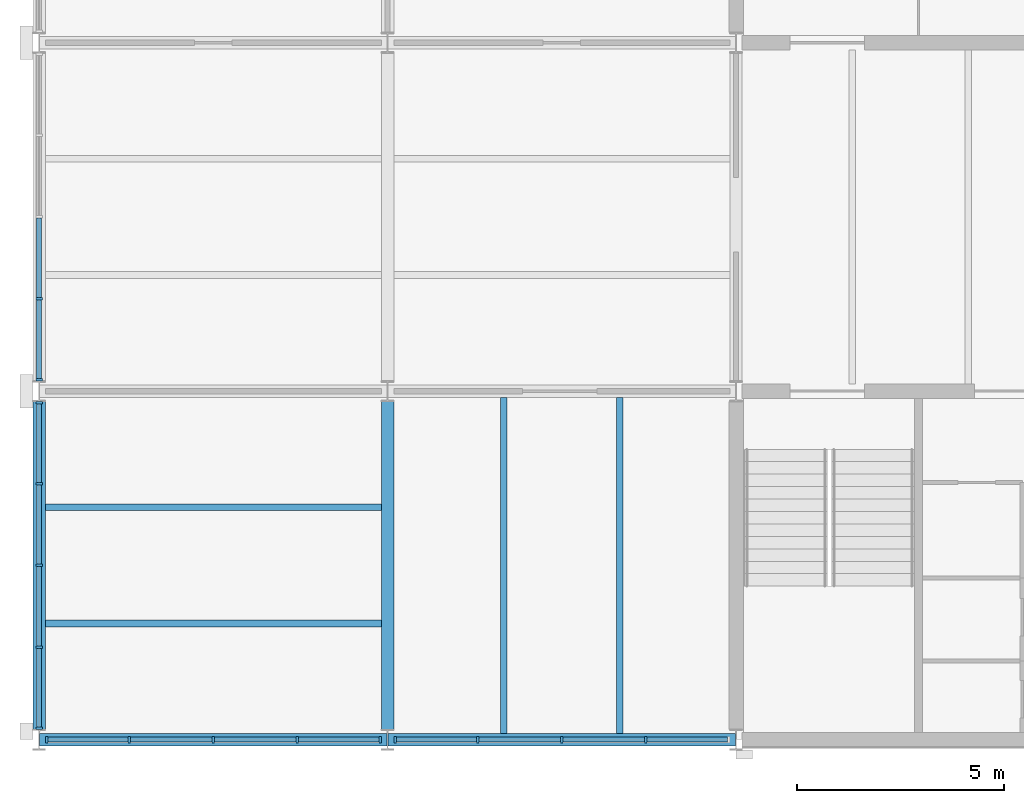
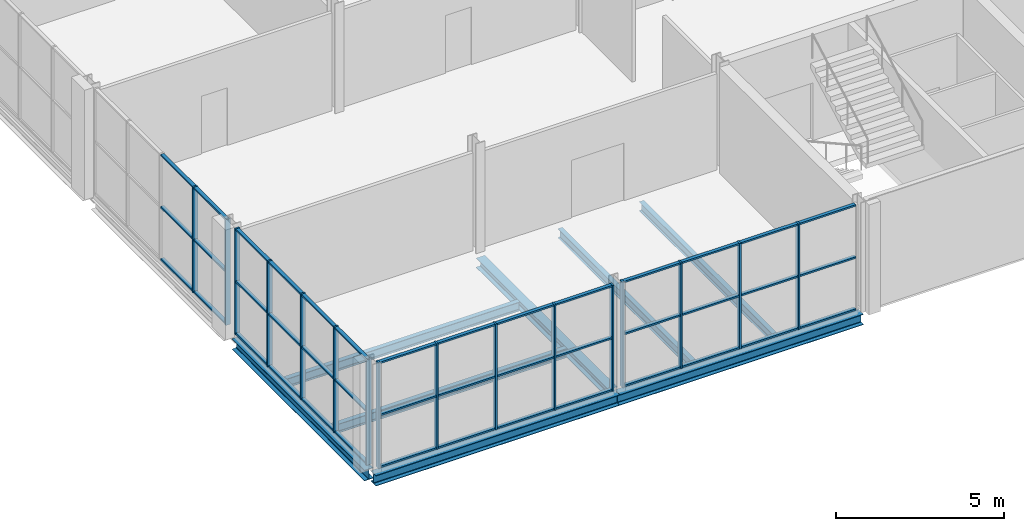
# One storey, part 2 of 12: 58 members, 8 beams, 4 elements without a shape of their own.
"""IFC4 building model written with IfcOpenShell, lengths in metres."""

from ifc_helpers import new_model, si_unit, direction, frame, origin, origin_2d, place, context, subcontext, project, spatial, rectangle, i_section, extrude, material, layer, layer_set, material_profile, profile_set, type_object, element, aggregate, save


model = new_model("IFC4")

# Units and contexts
model_context = context("Model", 3, precision=1e-05, world=origin(), true_north=direction((0.0, 1.0)))
body_context = subcontext(model_context, "Body", "Model", "MODEL_VIEW")
ifc_project = project(units=[si_unit("LENGTHUNIT", "METRE"), si_unit("AREAUNIT", "SQUARE_METRE"), si_unit("VOLUMEUNIT", "CUBIC_METRE"), si_unit("PLANEANGLEUNIT", "RADIAN"), si_unit("MASSUNIT", "GRAM", prefix="KILO")], contexts=[model_context])

# Site, building, storey
site_placement = place(None, origin())
site = spatial("IfcSite", under=ifc_project, at=site_placement, CompositionType="ELEMENT")
building_placement = place(site_placement, origin())
building = spatial("IfcBuilding", under=site, at=building_placement, Name="Galleria Vessillo Department Store", CompositionType="ELEMENT")
storey_placement = place(building_placement, frame((0.0, 0.0, 39.60009765625)))
storey = spatial("IfcBuildingStorey", under=building, at=storey_placement, Name="L08", CompositionType="ELEMENT", Elevation=39.60009765625)

# Curtain wall, members
ifc_material_1 = material(Name="Aluminium and glass curtain wall", Category="aluminium")
ifc_layer = layer(ifc_material_1, 0.159912109375)
ifc_layer_set = layer_set([ifc_layer], Name="Aluminium and glass curtain wall")
curtain_wall_type = type_object("IfcCurtainWallType", Name="Tower curtain wall CW4 2100 module", PredefinedType="NOTDEFINED", material=ifc_layer_set)
curtain_wall_1_placement = place(storey_placement, origin())
curtain_wall_1 = element("IfcCurtainWall", 1, at=curtain_wall_1_placement, inside=storey, type_object=curtain_wall_type, Name="Tower curtain wall CW4 2100 module TW-L08-01", PredefinedType="NOTDEFINED")
ifc_material_2 = material(Name="Aluminium alloy 6063 T6", Category="aluminium")
ifc_material_profile_1 = material_profile(ifc_material_2, rectangle(XDim=0.159912109375, YDim=0.06005859375, at=origin_2d()), Name="AL 60x160")
ifc_profile_set_1 = profile_set([ifc_material_profile_1], Name="Aluminium alloy 6063 T6")
member_type_1 = type_object("IfcMemberType", Name="Aluminium mullion 60 x 160", PredefinedType="MULLION", material=ifc_profile_set_1)
member_1_placement = place(storey_placement, frame((84.0, 38.080078125, 0.0), z_axis=(0.0, 0.0, 1.0), x_axis=(-1.0, 0.0, 0.0)))
member_1 = element("IfcMember", 2, at=member_1_placement, type_object=member_type_1, Name="CW4 mullion 1", PredefinedType="MULLION", context=body_context, shape_type="SweptSolid", body=[
    extrude(rectangle(XDim=0.159912109375, YDim=0.06005859375, at=origin_2d()), origin(), (0.0, 0.0, 1.0), 3.85009765625),
])
member_2_placement = place(storey_placement, frame((84.0, 40.02490234375, 0.0), z_axis=(0.0, 0.0, 1.0), x_axis=(-1.0, 0.0, 0.0)))
member_2 = element("IfcMember", 3, at=member_2_placement, type_object=member_type_1, Name="CW4 mullion 2", PredefinedType="MULLION", context=body_context, shape_type="SweptSolid", body=[
    extrude(rectangle(XDim=0.159912109375, YDim=0.06005859375, at=origin_2d()), origin(), (0.0, 0.0, 1.0), 3.85009765625),
])
member_3_placement = place(storey_placement, frame((84.0, 42.0, 0.0), z_axis=(0.0, 0.0, 1.0), x_axis=(-1.0, 0.0, 0.0)))
member_3 = element("IfcMember", 4, at=member_3_placement, type_object=member_type_1, Name="CW4 mullion 3", PredefinedType="MULLION", context=body_context, shape_type="SweptSolid", body=[
    extrude(rectangle(XDim=0.159912109375, YDim=0.06005859375, at=origin_2d()), origin(), (0.0, 0.0, 1.0), 3.85009765625),
])
member_4_placement = place(storey_placement, frame((84.0, 43.97509765625, 0.0), z_axis=(0.0, 0.0, 1.0), x_axis=(-1.0, 0.0, 0.0)))
member_4 = element("IfcMember", 5, at=member_4_placement, type_object=member_type_1, Name="CW4 mullion 4", PredefinedType="MULLION", context=body_context, shape_type="SweptSolid", body=[
    extrude(rectangle(XDim=0.159912109375, YDim=0.06005859375, at=origin_2d()), origin(), (0.0, 0.0, 1.0), 3.85009765625),
])
member_5_placement = place(storey_placement, frame((84.0, 45.919921875, 0.0), z_axis=(0.0, 0.0, 1.0), x_axis=(-1.0, 0.0, 0.0)))
member_5 = element("IfcMember", 6, at=member_5_placement, type_object=member_type_1, Name="CW4 mullion 5", PredefinedType="MULLION", context=body_context, shape_type="SweptSolid", body=[
    extrude(rectangle(XDim=0.159912109375, YDim=0.06005859375, at=origin_2d()), origin(), (0.0, 0.0, 1.0), 3.85009765625),
])

curtain_wall_2_placement = place(storey_placement, origin())
curtain_wall_2 = element("IfcCurtainWall", 7, at=curtain_wall_2_placement, inside=storey, type_object=curtain_wall_type, Name="Tower curtain wall CW4 2100 module TW-L08-02", PredefinedType="NOTDEFINED")
member_6_placement = place(storey_placement, frame((84.0, 46.47998046875, 0.0), z_axis=(0.0, 0.0, 1.0), x_axis=(-1.0, 0.0, 0.0)))
member_6 = element("IfcMember", 8, at=member_6_placement, type_object=member_type_1, Name="CW4 mullion 1", PredefinedType="MULLION", context=body_context, shape_type="SweptSolid", body=[
    extrude(rectangle(XDim=0.159912109375, YDim=0.06005859375, at=origin_2d()), origin(), (0.0, 0.0, 1.0), 3.85009765625),
])
member_7_placement = place(storey_placement, frame((84.0, 48.425048828125, 0.0), z_axis=(0.0, 0.0, 1.0), x_axis=(-1.0, 0.0, 0.0)))
member_7 = element("IfcMember", 9, at=member_7_placement, type_object=member_type_1, Name="CW4 mullion 2", PredefinedType="MULLION", context=body_context, shape_type="SweptSolid", body=[
    extrude(rectangle(XDim=0.159912109375, YDim=0.06005859375, at=origin_2d()), origin(), (0.0, 0.0, 1.0), 3.85009765625),
])

curtain_wall_3_placement = place(storey_placement, origin())
curtain_wall_3 = element("IfcCurtainWall", 10, at=curtain_wall_3_placement, inside=storey, type_object=curtain_wall_type, Name="Tower curtain wall CW4 2100 module TS-L08-01", PredefinedType="NOTDEFINED")
member_8_placement = place(storey_placement, frame((84.179931640625, 37.800048828125, 0.0), z_axis=(0.0, 0.0, 1.0), x_axis=(0.0, 1.0, 0.0)))
member_8 = element("IfcMember", 11, at=member_8_placement, type_object=member_type_1, Name="CW4 mullion 1", PredefinedType="MULLION", context=body_context, shape_type="SweptSolid", body=[
    extrude(rectangle(XDim=0.159912109375, YDim=0.06005859375, at=origin_2d()), origin(), (0.0, 0.0, 1.0), 3.85009765625),
])
member_9_placement = place(storey_placement, frame((86.175048828125, 37.800048828125, 0.0), z_axis=(0.0, 0.0, 1.0), x_axis=(0.0, 1.0, 0.0)))
member_9 = element("IfcMember", 12, at=member_9_placement, type_object=member_type_1, Name="CW4 mullion 2", PredefinedType="MULLION", context=body_context, shape_type="SweptSolid", body=[
    extrude(rectangle(XDim=0.159912109375, YDim=0.06005859375, at=origin_2d()), origin(), (0.0, 0.0, 1.0), 3.85009765625),
])
member_10_placement = place(storey_placement, frame((88.199951171875, 37.800048828125, 0.0), z_axis=(0.0, 0.0, 1.0), x_axis=(0.0, 1.0, 0.0)))
member_10 = element("IfcMember", 13, at=member_10_placement, type_object=member_type_1, Name="CW4 mullion 3", PredefinedType="MULLION", context=body_context, shape_type="SweptSolid", body=[
    extrude(rectangle(XDim=0.159912109375, YDim=0.06005859375, at=origin_2d()), origin(), (0.0, 0.0, 1.0), 3.85009765625),
])
member_11_placement = place(storey_placement, frame((90.22509765625, 37.800048828125, 0.0), z_axis=(0.0, 0.0, 1.0), x_axis=(0.0, 1.0, 0.0)))
member_11 = element("IfcMember", 14, at=member_11_placement, type_object=member_type_1, Name="CW4 mullion 4", PredefinedType="MULLION", context=body_context, shape_type="SweptSolid", body=[
    extrude(rectangle(XDim=0.159912109375, YDim=0.06005859375, at=origin_2d()), origin(), (0.0, 0.0, 1.0), 3.85009765625),
])
member_12_placement = place(storey_placement, frame((92.219970703125, 37.800048828125, 0.0), z_axis=(0.0, 0.0, 1.0), x_axis=(0.0, 1.0, 0.0)))
member_12 = element("IfcMember", 15, at=member_12_placement, type_object=member_type_1, Name="CW4 mullion 5", PredefinedType="MULLION", context=body_context, shape_type="SweptSolid", body=[
    extrude(rectangle(XDim=0.159912109375, YDim=0.06005859375, at=origin_2d()), origin(), (0.0, 0.0, 1.0), 3.85009765625),
])

curtain_wall_4_placement = place(storey_placement, origin())
curtain_wall_4 = element("IfcCurtainWall", 16, at=curtain_wall_4_placement, inside=storey, type_object=curtain_wall_type, Name="Tower curtain wall CW4 2100 module TS-L08-02", PredefinedType="NOTDEFINED")
member_13_placement = place(storey_placement, frame((92.579833984375, 37.800048828125, 0.0), z_axis=(0.0, 0.0, 1.0), x_axis=(0.0, 1.0, 0.0)))
member_13 = element("IfcMember", 17, at=member_13_placement, type_object=member_type_1, Name="CW4 mullion 1", PredefinedType="MULLION", context=body_context, shape_type="SweptSolid", body=[
    extrude(rectangle(XDim=0.159912109375, YDim=0.06005859375, at=origin_2d()), origin(), (0.0, 0.0, 1.0), 3.85009765625),
])
member_14_placement = place(storey_placement, frame((94.574951171875, 37.800048828125, 0.0), z_axis=(0.0, 0.0, 1.0), x_axis=(0.0, 1.0, 0.0)))
member_14 = element("IfcMember", 18, at=member_14_placement, type_object=member_type_1, Name="CW4 mullion 2", PredefinedType="MULLION", context=body_context, shape_type="SweptSolid", body=[
    extrude(rectangle(XDim=0.159912109375, YDim=0.06005859375, at=origin_2d()), origin(), (0.0, 0.0, 1.0), 3.85009765625),
])
member_15_placement = place(storey_placement, frame((96.60009765625, 37.800048828125, 0.0), z_axis=(0.0, 0.0, 1.0), x_axis=(0.0, 1.0, 0.0)))
member_15 = element("IfcMember", 19, at=member_15_placement, type_object=member_type_1, Name="CW4 mullion 3", PredefinedType="MULLION", context=body_context, shape_type="SweptSolid", body=[
    extrude(rectangle(XDim=0.159912109375, YDim=0.06005859375, at=origin_2d()), origin(), (0.0, 0.0, 1.0), 3.85009765625),
])
member_16_placement = place(storey_placement, frame((98.625, 37.800048828125, 0.0), z_axis=(0.0, 0.0, 1.0), x_axis=(0.0, 1.0, 0.0)))
member_16 = element("IfcMember", 20, at=member_16_placement, type_object=member_type_1, Name="CW4 mullion 4", PredefinedType="MULLION", context=body_context, shape_type="SweptSolid", body=[
    extrude(rectangle(XDim=0.159912109375, YDim=0.06005859375, at=origin_2d()), origin(), (0.0, 0.0, 1.0), 3.85009765625),
])

# Member
ifc_material_3 = material(Name="Aluminium alloy 6063 T6", Category="aluminium")
ifc_material_profile_2 = material_profile(ifc_material_3, rectangle(XDim=0.1201171875, YDim=0.06005859375, at=origin_2d()), Name="AL 60x120")
ifc_profile_set_2 = profile_set([ifc_material_profile_2], Name="Aluminium alloy 6063 T6")
member_type_2 = type_object("IfcMemberType", Name="Aluminium transom 60 x 120", PredefinedType="USERDEFINED", material=ifc_profile_set_2)
member_17_placement = place(storey_placement, frame((84.0, 38.110107421875, 0.030029296875), z_axis=(0.0, 1.0, 0.0), x_axis=(-1.0, 0.0, 0.0)))
member_17 = element("IfcMember", 21, at=member_17_placement, type_object=member_type_2, Name="CW4 transom 1.1", ObjectType="TRANSOM", PredefinedType="USERDEFINED", context=body_context, shape_type="SweptSolid", body=[
    extrude(rectangle(XDim=0.1201171875, YDim=0.06005859375, at=origin_2d()), origin(), (0.0, 0.0, 1.0), 1.885009765625),
])

member_18_placement = place(storey_placement, frame((84.0, 38.110107421875, 1.925048828125), z_axis=(0.0, 1.0, 0.0), x_axis=(-1.0, 0.0, 0.0)))
member_18 = element("IfcMember", 22, at=member_18_placement, type_object=member_type_2, Name="CW4 transom 1.2", ObjectType="TRANSOM", PredefinedType="USERDEFINED", context=body_context, shape_type="SweptSolid", body=[
    extrude(rectangle(XDim=0.1201171875, YDim=0.06005859375, at=origin_2d()), origin(), (0.0, 0.0, 1.0), 1.885009765625),
])

member_19_placement = place(storey_placement, frame((84.0, 38.110107421875, 3.820068359375), z_axis=(0.0, 1.0, 0.0), x_axis=(-1.0, 0.0, 0.0)))
member_19 = element("IfcMember", 23, at=member_19_placement, type_object=member_type_2, Name="CW4 transom 1.3", ObjectType="TRANSOM", PredefinedType="USERDEFINED", context=body_context, shape_type="SweptSolid", body=[
    extrude(rectangle(XDim=0.1201171875, YDim=0.06005859375, at=origin_2d()), origin(), (0.0, 0.0, 1.0), 1.885009765625),
])

member_20_placement = place(storey_placement, frame((84.0, 40.054931640625, 0.030029296875), z_axis=(0.0, 1.0, 0.0), x_axis=(-1.0, 0.0, 0.0)))
member_20 = element("IfcMember", 24, at=member_20_placement, type_object=member_type_2, Name="CW4 transom 2.1", ObjectType="TRANSOM", PredefinedType="USERDEFINED", context=body_context, shape_type="SweptSolid", body=[
    extrude(rectangle(XDim=0.1201171875, YDim=0.06005859375, at=origin_2d()), origin(), (0.0, 0.0, 1.0), 1.9150390625),
])

member_21_placement = place(storey_placement, frame((84.0, 40.054931640625, 1.925048828125), z_axis=(0.0, 1.0, 0.0), x_axis=(-1.0, 0.0, 0.0)))
member_21 = element("IfcMember", 25, at=member_21_placement, type_object=member_type_2, Name="CW4 transom 2.2", ObjectType="TRANSOM", PredefinedType="USERDEFINED", context=body_context, shape_type="SweptSolid", body=[
    extrude(rectangle(XDim=0.1201171875, YDim=0.06005859375, at=origin_2d()), origin(), (0.0, 0.0, 1.0), 1.9150390625),
])

member_22_placement = place(storey_placement, frame((84.0, 40.054931640625, 3.820068359375), z_axis=(0.0, 1.0, 0.0), x_axis=(-1.0, 0.0, 0.0)))
member_22 = element("IfcMember", 26, at=member_22_placement, type_object=member_type_2, Name="CW4 transom 2.3", ObjectType="TRANSOM", PredefinedType="USERDEFINED", context=body_context, shape_type="SweptSolid", body=[
    extrude(rectangle(XDim=0.1201171875, YDim=0.06005859375, at=origin_2d()), origin(), (0.0, 0.0, 1.0), 1.9150390625),
])

member_23_placement = place(storey_placement, frame((84.0, 42.030029296875, 0.030029296875), z_axis=(0.0, 1.0, 0.0), x_axis=(-1.0, 0.0, 0.0)))
member_23 = element("IfcMember", 27, at=member_23_placement, type_object=member_type_2, Name="CW4 transom 3.1", ObjectType="TRANSOM", PredefinedType="USERDEFINED", context=body_context, shape_type="SweptSolid", body=[
    extrude(rectangle(XDim=0.1201171875, YDim=0.06005859375, at=origin_2d()), origin(), (0.0, 0.0, 1.0), 1.9150390625),
])

member_24_placement = place(storey_placement, frame((84.0, 42.030029296875, 1.925048828125), z_axis=(0.0, 1.0, 0.0), x_axis=(-1.0, 0.0, 0.0)))
member_24 = element("IfcMember", 28, at=member_24_placement, type_object=member_type_2, Name="CW4 transom 3.2", ObjectType="TRANSOM", PredefinedType="USERDEFINED", context=body_context, shape_type="SweptSolid", body=[
    extrude(rectangle(XDim=0.1201171875, YDim=0.06005859375, at=origin_2d()), origin(), (0.0, 0.0, 1.0), 1.9150390625),
])

member_25_placement = place(storey_placement, frame((84.0, 42.030029296875, 3.820068359375), z_axis=(0.0, 1.0, 0.0), x_axis=(-1.0, 0.0, 0.0)))
member_25 = element("IfcMember", 29, at=member_25_placement, type_object=member_type_2, Name="CW4 transom 3.3", ObjectType="TRANSOM", PredefinedType="USERDEFINED", context=body_context, shape_type="SweptSolid", body=[
    extrude(rectangle(XDim=0.1201171875, YDim=0.06005859375, at=origin_2d()), origin(), (0.0, 0.0, 1.0), 1.9150390625),
])

member_26_placement = place(storey_placement, frame((84.0, 44.0048828125, 0.030029296875), z_axis=(0.0, 1.0, 0.0), x_axis=(-1.0, 0.0, 0.0)))
member_26 = element("IfcMember", 30, at=member_26_placement, type_object=member_type_2, Name="CW4 transom 4.1", ObjectType="TRANSOM", PredefinedType="USERDEFINED", context=body_context, shape_type="SweptSolid", body=[
    extrude(rectangle(XDim=0.1201171875, YDim=0.06005859375, at=origin_2d()), origin(), (0.0, 0.0, 1.0), 1.885009765625),
])

member_27_placement = place(storey_placement, frame((84.0, 44.0048828125, 1.925048828125), z_axis=(0.0, 1.0, 0.0), x_axis=(-1.0, 0.0, 0.0)))
member_27 = element("IfcMember", 31, at=member_27_placement, type_object=member_type_2, Name="CW4 transom 4.2", ObjectType="TRANSOM", PredefinedType="USERDEFINED", context=body_context, shape_type="SweptSolid", body=[
    extrude(rectangle(XDim=0.1201171875, YDim=0.06005859375, at=origin_2d()), origin(), (0.0, 0.0, 1.0), 1.885009765625),
])

member_28_placement = place(storey_placement, frame((84.0, 44.0048828125, 3.820068359375), z_axis=(0.0, 1.0, 0.0), x_axis=(-1.0, 0.0, 0.0)))
member_28 = element("IfcMember", 32, at=member_28_placement, type_object=member_type_2, Name="CW4 transom 4.3", ObjectType="TRANSOM", PredefinedType="USERDEFINED", context=body_context, shape_type="SweptSolid", body=[
    extrude(rectangle(XDim=0.1201171875, YDim=0.06005859375, at=origin_2d()), origin(), (0.0, 0.0, 1.0), 1.885009765625),
])

aggregate(curtain_wall_1, [member_1, member_2, member_3, member_4, member_5, member_17, member_18, member_19, member_20, member_21, member_22, member_23, member_24, member_25, member_26, member_27, member_28])

member_29_placement = place(storey_placement, frame((84.0, 46.510009765625, 0.030029296875), z_axis=(0.0, 1.0, 0.0), x_axis=(-1.0, 0.0, 0.0)))
member_29 = element("IfcMember", 33, at=member_29_placement, type_object=member_type_2, Name="CW4 transom 1.1", ObjectType="TRANSOM", PredefinedType="USERDEFINED", context=body_context, shape_type="SweptSolid", body=[
    extrude(rectangle(XDim=0.1201171875, YDim=0.06005859375, at=origin_2d()), origin(), (0.0, 0.0, 1.0), 1.885009765625),
])

member_30_placement = place(storey_placement, frame((84.0, 46.510009765625, 1.925048828125), z_axis=(0.0, 1.0, 0.0), x_axis=(-1.0, 0.0, 0.0)))
member_30 = element("IfcMember", 34, at=member_30_placement, type_object=member_type_2, Name="CW4 transom 1.2", ObjectType="TRANSOM", PredefinedType="USERDEFINED", context=body_context, shape_type="SweptSolid", body=[
    extrude(rectangle(XDim=0.1201171875, YDim=0.06005859375, at=origin_2d()), origin(), (0.0, 0.0, 1.0), 1.885009765625),
])

member_31_placement = place(storey_placement, frame((84.0, 46.510009765625, 3.820068359375), z_axis=(0.0, 1.0, 0.0), x_axis=(-1.0, 0.0, 0.0)))
member_31 = element("IfcMember", 35, at=member_31_placement, type_object=member_type_2, Name="CW4 transom 1.3", ObjectType="TRANSOM", PredefinedType="USERDEFINED", context=body_context, shape_type="SweptSolid", body=[
    extrude(rectangle(XDim=0.1201171875, YDim=0.06005859375, at=origin_2d()), origin(), (0.0, 0.0, 1.0), 1.885009765625),
])

member_32_placement = place(storey_placement, frame((84.0, 48.455078125, 0.030029296875), z_axis=(0.0, 1.0, 0.0), x_axis=(-1.0, 0.0, 0.0)))
member_32 = element("IfcMember", 36, at=member_32_placement, type_object=member_type_2, Name="CW4 transom 2.1", ObjectType="TRANSOM", PredefinedType="USERDEFINED", context=body_context, shape_type="SweptSolid", body=[
    extrude(rectangle(XDim=0.1201171875, YDim=0.06005859375, at=origin_2d()), origin(), (0.0, 0.0, 1.0), 1.9150390625),
])

member_33_placement = place(storey_placement, frame((84.0, 48.455078125, 1.925048828125), z_axis=(0.0, 1.0, 0.0), x_axis=(-1.0, 0.0, 0.0)))
member_33 = element("IfcMember", 37, at=member_33_placement, type_object=member_type_2, Name="CW4 transom 2.2", ObjectType="TRANSOM", PredefinedType="USERDEFINED", context=body_context, shape_type="SweptSolid", body=[
    extrude(rectangle(XDim=0.1201171875, YDim=0.06005859375, at=origin_2d()), origin(), (0.0, 0.0, 1.0), 1.9150390625),
])

member_34_placement = place(storey_placement, frame((84.0, 48.455078125, 3.820068359375), z_axis=(0.0, 1.0, 0.0), x_axis=(-1.0, 0.0, 0.0)))
member_34 = element("IfcMember", 38, at=member_34_placement, type_object=member_type_2, Name="CW4 transom 2.3", ObjectType="TRANSOM", PredefinedType="USERDEFINED", context=body_context, shape_type="SweptSolid", body=[
    extrude(rectangle(XDim=0.1201171875, YDim=0.06005859375, at=origin_2d()), origin(), (0.0, 0.0, 1.0), 1.9150390625),
])

aggregate(curtain_wall_2, [member_6, member_7, member_29, member_30, member_31, member_32, member_33, member_34])

member_35_placement = place(storey_placement, frame((84.2099609375, 37.800048828125, 0.030029296875), z_axis=(1.0, 0.0, 0.0), x_axis=(0.0, 1.0, 0.0)))
member_35 = element("IfcMember", 39, at=member_35_placement, type_object=member_type_2, Name="CW4 transom 1.1", ObjectType="TRANSOM", PredefinedType="USERDEFINED", context=body_context, shape_type="SweptSolid", body=[
    extrude(rectangle(XDim=0.1201171875, YDim=0.06005859375, at=origin_2d()), origin(), (0.0, 0.0, 1.0), 1.93505859375),
])

member_36_placement = place(storey_placement, frame((84.2099609375, 37.800048828125, 1.925048828125), z_axis=(1.0, 0.0, 0.0), x_axis=(0.0, 1.0, 0.0)))
member_36 = element("IfcMember", 40, at=member_36_placement, type_object=member_type_2, Name="CW4 transom 1.2", ObjectType="TRANSOM", PredefinedType="USERDEFINED", context=body_context, shape_type="SweptSolid", body=[
    extrude(rectangle(XDim=0.1201171875, YDim=0.06005859375, at=origin_2d()), origin(), (0.0, 0.0, 1.0), 1.93505859375),
])

member_37_placement = place(storey_placement, frame((84.2099609375, 37.800048828125, 3.820068359375), z_axis=(1.0, 0.0, 0.0), x_axis=(0.0, 1.0, 0.0)))
member_37 = element("IfcMember", 41, at=member_37_placement, type_object=member_type_2, Name="CW4 transom 1.3", ObjectType="TRANSOM", PredefinedType="USERDEFINED", context=body_context, shape_type="SweptSolid", body=[
    extrude(rectangle(XDim=0.1201171875, YDim=0.06005859375, at=origin_2d()), origin(), (0.0, 0.0, 1.0), 1.93505859375),
])

member_38_placement = place(storey_placement, frame((86.204833984375, 37.800048828125, 0.030029296875), z_axis=(1.0, 0.0, 0.0), x_axis=(0.0, 1.0, 0.0)))
member_38 = element("IfcMember", 42, at=member_38_placement, type_object=member_type_2, Name="CW4 transom 2.1", ObjectType="TRANSOM", PredefinedType="USERDEFINED", context=body_context, shape_type="SweptSolid", body=[
    extrude(rectangle(XDim=0.1201171875, YDim=0.06005859375, at=origin_2d()), origin(), (0.0, 0.0, 1.0), 1.965087890625),
])

member_39_placement = place(storey_placement, frame((86.204833984375, 37.800048828125, 1.925048828125), z_axis=(1.0, 0.0, 0.0), x_axis=(0.0, 1.0, 0.0)))
member_39 = element("IfcMember", 43, at=member_39_placement, type_object=member_type_2, Name="CW4 transom 2.2", ObjectType="TRANSOM", PredefinedType="USERDEFINED", context=body_context, shape_type="SweptSolid", body=[
    extrude(rectangle(XDim=0.1201171875, YDim=0.06005859375, at=origin_2d()), origin(), (0.0, 0.0, 1.0), 1.965087890625),
])

member_40_placement = place(storey_placement, frame((86.204833984375, 37.800048828125, 3.820068359375), z_axis=(1.0, 0.0, 0.0), x_axis=(0.0, 1.0, 0.0)))
member_40 = element("IfcMember", 44, at=member_40_placement, type_object=member_type_2, Name="CW4 transom 2.3", ObjectType="TRANSOM", PredefinedType="USERDEFINED", context=body_context, shape_type="SweptSolid", body=[
    extrude(rectangle(XDim=0.1201171875, YDim=0.06005859375, at=origin_2d()), origin(), (0.0, 0.0, 1.0), 1.965087890625),
])

member_41_placement = place(storey_placement, frame((88.22998046875, 37.800048828125, 0.030029296875), z_axis=(1.0, 0.0, 0.0), x_axis=(0.0, 1.0, 0.0)))
member_41 = element("IfcMember", 45, at=member_41_placement, type_object=member_type_2, Name="CW4 transom 3.1", ObjectType="TRANSOM", PredefinedType="USERDEFINED", context=body_context, shape_type="SweptSolid", body=[
    extrude(rectangle(XDim=0.1201171875, YDim=0.06005859375, at=origin_2d()), origin(), (0.0, 0.0, 1.0), 1.965087890625),
])

member_42_placement = place(storey_placement, frame((88.22998046875, 37.800048828125, 1.925048828125), z_axis=(1.0, 0.0, 0.0), x_axis=(0.0, 1.0, 0.0)))
member_42 = element("IfcMember", 46, at=member_42_placement, type_object=member_type_2, Name="CW4 transom 3.2", ObjectType="TRANSOM", PredefinedType="USERDEFINED", context=body_context, shape_type="SweptSolid", body=[
    extrude(rectangle(XDim=0.1201171875, YDim=0.06005859375, at=origin_2d()), origin(), (0.0, 0.0, 1.0), 1.965087890625),
])

member_43_placement = place(storey_placement, frame((88.22998046875, 37.800048828125, 3.820068359375), z_axis=(1.0, 0.0, 0.0), x_axis=(0.0, 1.0, 0.0)))
member_43 = element("IfcMember", 47, at=member_43_placement, type_object=member_type_2, Name="CW4 transom 3.3", ObjectType="TRANSOM", PredefinedType="USERDEFINED", context=body_context, shape_type="SweptSolid", body=[
    extrude(rectangle(XDim=0.1201171875, YDim=0.06005859375, at=origin_2d()), origin(), (0.0, 0.0, 1.0), 1.965087890625),
])

member_44_placement = place(storey_placement, frame((90.2548828125, 37.800048828125, 0.030029296875), z_axis=(1.0, 0.0, 0.0), x_axis=(0.0, 1.0, 0.0)))
member_44 = element("IfcMember", 48, at=member_44_placement, type_object=member_type_2, Name="CW4 transom 4.1", ObjectType="TRANSOM", PredefinedType="USERDEFINED", context=body_context, shape_type="SweptSolid", body=[
    extrude(rectangle(XDim=0.1201171875, YDim=0.06005859375, at=origin_2d()), origin(), (0.0, 0.0, 1.0), 1.93505859375),
])

member_45_placement = place(storey_placement, frame((90.2548828125, 37.800048828125, 1.925048828125), z_axis=(1.0, 0.0, 0.0), x_axis=(0.0, 1.0, 0.0)))
member_45 = element("IfcMember", 49, at=member_45_placement, type_object=member_type_2, Name="CW4 transom 4.2", ObjectType="TRANSOM", PredefinedType="USERDEFINED", context=body_context, shape_type="SweptSolid", body=[
    extrude(rectangle(XDim=0.1201171875, YDim=0.06005859375, at=origin_2d()), origin(), (0.0, 0.0, 1.0), 1.93505859375),
])

member_46_placement = place(storey_placement, frame((90.2548828125, 37.800048828125, 3.820068359375), z_axis=(1.0, 0.0, 0.0), x_axis=(0.0, 1.0, 0.0)))
member_46 = element("IfcMember", 50, at=member_46_placement, type_object=member_type_2, Name="CW4 transom 4.3", ObjectType="TRANSOM", PredefinedType="USERDEFINED", context=body_context, shape_type="SweptSolid", body=[
    extrude(rectangle(XDim=0.1201171875, YDim=0.06005859375, at=origin_2d()), origin(), (0.0, 0.0, 1.0), 1.93505859375),
])

aggregate(curtain_wall_3, [member_8, member_9, member_10, member_11, member_12, member_35, member_36, member_37, member_38, member_39, member_40, member_41, member_42, member_43, member_44, member_45, member_46])

member_47_placement = place(storey_placement, frame((92.60986328125, 37.800048828125, 0.030029296875), z_axis=(1.0, 0.0, 0.0), x_axis=(0.0, 1.0, 0.0)))
member_47 = element("IfcMember", 51, at=member_47_placement, type_object=member_type_2, Name="CW4 transom 1.1", ObjectType="TRANSOM", PredefinedType="USERDEFINED", context=body_context, shape_type="SweptSolid", body=[
    extrude(rectangle(XDim=0.1201171875, YDim=0.06005859375, at=origin_2d()), origin(), (0.0, 0.0, 1.0), 1.93505859375),
])

member_48_placement = place(storey_placement, frame((92.60986328125, 37.800048828125, 1.925048828125), z_axis=(1.0, 0.0, 0.0), x_axis=(0.0, 1.0, 0.0)))
member_48 = element("IfcMember", 52, at=member_48_placement, type_object=member_type_2, Name="CW4 transom 1.2", ObjectType="TRANSOM", PredefinedType="USERDEFINED", context=body_context, shape_type="SweptSolid", body=[
    extrude(rectangle(XDim=0.1201171875, YDim=0.06005859375, at=origin_2d()), origin(), (0.0, 0.0, 1.0), 1.93505859375),
])

member_49_placement = place(storey_placement, frame((92.60986328125, 37.800048828125, 3.820068359375), z_axis=(1.0, 0.0, 0.0), x_axis=(0.0, 1.0, 0.0)))
member_49 = element("IfcMember", 53, at=member_49_placement, type_object=member_type_2, Name="CW4 transom 1.3", ObjectType="TRANSOM", PredefinedType="USERDEFINED", context=body_context, shape_type="SweptSolid", body=[
    extrude(rectangle(XDim=0.1201171875, YDim=0.06005859375, at=origin_2d()), origin(), (0.0, 0.0, 1.0), 1.93505859375),
])

member_50_placement = place(storey_placement, frame((94.60498046875, 37.800048828125, 0.030029296875), z_axis=(1.0, 0.0, 0.0), x_axis=(0.0, 1.0, 0.0)))
member_50 = element("IfcMember", 54, at=member_50_placement, type_object=member_type_2, Name="CW4 transom 2.1", ObjectType="TRANSOM", PredefinedType="USERDEFINED", context=body_context, shape_type="SweptSolid", body=[
    extrude(rectangle(XDim=0.1201171875, YDim=0.06005859375, at=origin_2d()), origin(), (0.0, 0.0, 1.0), 1.965087890625),
])

member_51_placement = place(storey_placement, frame((94.60498046875, 37.800048828125, 1.925048828125), z_axis=(1.0, 0.0, 0.0), x_axis=(0.0, 1.0, 0.0)))
member_51 = element("IfcMember", 55, at=member_51_placement, type_object=member_type_2, Name="CW4 transom 2.2", ObjectType="TRANSOM", PredefinedType="USERDEFINED", context=body_context, shape_type="SweptSolid", body=[
    extrude(rectangle(XDim=0.1201171875, YDim=0.06005859375, at=origin_2d()), origin(), (0.0, 0.0, 1.0), 1.965087890625),
])

member_52_placement = place(storey_placement, frame((94.60498046875, 37.800048828125, 3.820068359375), z_axis=(1.0, 0.0, 0.0), x_axis=(0.0, 1.0, 0.0)))
member_52 = element("IfcMember", 56, at=member_52_placement, type_object=member_type_2, Name="CW4 transom 2.3", ObjectType="TRANSOM", PredefinedType="USERDEFINED", context=body_context, shape_type="SweptSolid", body=[
    extrude(rectangle(XDim=0.1201171875, YDim=0.06005859375, at=origin_2d()), origin(), (0.0, 0.0, 1.0), 1.965087890625),
])

member_53_placement = place(storey_placement, frame((96.6298828125, 37.800048828125, 0.030029296875), z_axis=(1.0, 0.0, 0.0), x_axis=(0.0, 1.0, 0.0)))
member_53 = element("IfcMember", 57, at=member_53_placement, type_object=member_type_2, Name="CW4 transom 3.1", ObjectType="TRANSOM", PredefinedType="USERDEFINED", context=body_context, shape_type="SweptSolid", body=[
    extrude(rectangle(XDim=0.1201171875, YDim=0.06005859375, at=origin_2d()), origin(), (0.0, 0.0, 1.0), 1.965087890625),
])

member_54_placement = place(storey_placement, frame((96.6298828125, 37.800048828125, 1.925048828125), z_axis=(1.0, 0.0, 0.0), x_axis=(0.0, 1.0, 0.0)))
member_54 = element("IfcMember", 58, at=member_54_placement, type_object=member_type_2, Name="CW4 transom 3.2", ObjectType="TRANSOM", PredefinedType="USERDEFINED", context=body_context, shape_type="SweptSolid", body=[
    extrude(rectangle(XDim=0.1201171875, YDim=0.06005859375, at=origin_2d()), origin(), (0.0, 0.0, 1.0), 1.965087890625),
])

member_55_placement = place(storey_placement, frame((96.6298828125, 37.800048828125, 3.820068359375), z_axis=(1.0, 0.0, 0.0), x_axis=(0.0, 1.0, 0.0)))
member_55 = element("IfcMember", 59, at=member_55_placement, type_object=member_type_2, Name="CW4 transom 3.3", ObjectType="TRANSOM", PredefinedType="USERDEFINED", context=body_context, shape_type="SweptSolid", body=[
    extrude(rectangle(XDim=0.1201171875, YDim=0.06005859375, at=origin_2d()), origin(), (0.0, 0.0, 1.0), 1.965087890625),
])

member_56_placement = place(storey_placement, frame((98.655029296875, 37.800048828125, 0.030029296875), z_axis=(1.0, 0.0, 0.0), x_axis=(0.0, 1.0, 0.0)))
member_56 = element("IfcMember", 60, at=member_56_placement, type_object=member_type_2, Name="CW4 transom 4.1", ObjectType="TRANSOM", PredefinedType="USERDEFINED", context=body_context, shape_type="SweptSolid", body=[
    extrude(rectangle(XDim=0.1201171875, YDim=0.06005859375, at=origin_2d()), origin(), (0.0, 0.0, 1.0), 1.93505859375),
])

member_57_placement = place(storey_placement, frame((98.655029296875, 37.800048828125, 1.925048828125), z_axis=(1.0, 0.0, 0.0), x_axis=(0.0, 1.0, 0.0)))
member_57 = element("IfcMember", 61, at=member_57_placement, type_object=member_type_2, Name="CW4 transom 4.2", ObjectType="TRANSOM", PredefinedType="USERDEFINED", context=body_context, shape_type="SweptSolid", body=[
    extrude(rectangle(XDim=0.1201171875, YDim=0.06005859375, at=origin_2d()), origin(), (0.0, 0.0, 1.0), 1.93505859375),
])

member_58_placement = place(storey_placement, frame((98.655029296875, 37.800048828125, 3.820068359375), z_axis=(1.0, 0.0, 0.0), x_axis=(0.0, 1.0, 0.0)))
member_58 = element("IfcMember", 62, at=member_58_placement, type_object=member_type_2, Name="CW4 transom 4.3", ObjectType="TRANSOM", PredefinedType="USERDEFINED", context=body_context, shape_type="SweptSolid", body=[
    extrude(rectangle(XDim=0.1201171875, YDim=0.06005859375, at=origin_2d()), origin(), (0.0, 0.0, 1.0), 1.93505859375),
])

aggregate(curtain_wall_4, [member_13, member_14, member_15, member_16, member_47, member_48, member_49, member_50, member_51, member_52, member_53, member_54, member_55, member_56, member_57, member_58])

# Beams
ifc_material_4 = material(Name="Steel S355 J2", Category="steel")
ifc_material_profile_3 = material_profile(ifc_material_4, i_section(OverallWidth=0.300048828125, OverallDepth=0.35009765625, WebThickness=0.010009765625, FlangeThickness=0.017578125, FilletRadius=0.027099609375, at=origin_2d()), Name="HEA 360")
ifc_profile_set_3 = profile_set([ifc_material_profile_3], Name="Steel S355 J2")
beam_type_1 = type_object("IfcBeamType", Name="Floor girder HEA 360", PredefinedType="BEAM", material=ifc_profile_set_3)
beam_1_placement = place(storey_placement, frame((92.39990234375, 38.050048828125, -0.324951171875), z_axis=(0.0, 1.0, 0.0), x_axis=(-1.0, 0.0, 0.0)))
element("IfcBeam", 63, at=beam_1_placement, inside=storey, type_object=beam_type_1, Name="S-BM-L08-GI-y92400-38050", PredefinedType="BEAM", context=body_context, shape_type="SweptSolid", body=[
    extrude(i_section(OverallWidth=0.300048828125, OverallDepth=0.35009765625, WebThickness=0.010009765625, FlangeThickness=0.017578125, FilletRadius=0.027099609375, at=origin_2d()), origin(), (0.0, 0.0, 1.0), 7.89990234375),
])
ifc_material_5 = material(Name="Steel S355 J2", Category="steel")
ifc_material_profile_4 = material_profile(ifc_material_5, i_section(OverallWidth=0.159912109375, OverallDepth=0.330078125, WebThickness=0.007568359375, FlangeThickness=0.011474609375, FilletRadius=0.01806640625, at=origin_2d()), Name="IPE 330")
ifc_profile_set_4 = profile_set([ifc_material_profile_4], Name="Steel S355 J2")
beam_type_2 = type_object("IfcBeamType", Name="Floor joist IPE 330", PredefinedType="JOIST", material=ifc_profile_set_4)
for number, where, z_axis, x_axis, name in (
    (64, (84.150146484375, 40.60009765625, -0.31494140625), (1.0, 0.0, 0.0), (0.0, 1.0, 0.0), "S-BM-L08-JO-x40600-84150"),
    (65, (84.150146484375, 43.39990234375, -0.31494140625), (1.0, 0.0, 0.0), (0.0, 1.0, 0.0), "S-BM-L08-JO-x43400-84150"),
    (66, (95.199951171875, 37.9501953125, -0.31494140625), (0.0, 1.0, 0.0), (-1.0, 0.0, 0.0), "S-BM-L08-JO-y95200-37950"),
    (67, (98.0, 37.9501953125, -0.31494140625), (0.0, 1.0, 0.0), (-1.0, 0.0, 0.0), "S-BM-L08-JO-y98000-37950"),
):
    element("IfcBeam", number, at=place(storey_placement, frame(where, z_axis=z_axis, x_axis=x_axis)), inside=storey, type_object=beam_type_2, Name=name, PredefinedType="JOIST", context=body_context, shape_type="SweptSolid", body=[
        extrude(i_section(OverallWidth=0.159912109375, OverallDepth=0.330078125, WebThickness=0.007568359375, FlangeThickness=0.011474609375, FilletRadius=0.01806640625, at=origin_2d()), origin(), (0.0, 0.0, 1.0), 8.099609375),
    ])
ifc_material_6 = material(Name="Steel S355 J2", Category="steel")
ifc_material_profile_5 = material_profile(ifc_material_6, i_section(OverallWidth=0.300048828125, OverallDepth=0.389892578125, WebThickness=0.010986328125, FlangeThickness=0.01904296875, FilletRadius=0.027099609375, at=origin_2d()), Name="HEA 400")
ifc_profile_set_5 = profile_set([ifc_material_profile_5], Name="Steel S355 J2")
beam_type_3 = type_object("IfcBeamType", Name="Trimmer beam HEA 400", PredefinedType="BEAM", material=ifc_profile_set_5)
for number, where, z_axis, x_axis, name in (
    (68, (84.00732421875, 37.800048828125, -0.344970703125), (1.0, 0.0, 0.0), (0.0, 1.0, 0.0), "S-BM-L08-TR-x37800-84007"),
    (69, (92.407470703125, 37.800048828125, -0.344970703125), (1.0, 0.0, 0.0), (0.0, 1.0, 0.0), "S-BM-L08-TR-x37800-92407"),
):
    element("IfcBeam", number, at=place(storey_placement, frame(where, z_axis=z_axis, x_axis=x_axis)), inside=storey, type_object=beam_type_3, Name=name, PredefinedType="BEAM", context=body_context, shape_type="SweptSolid", body=[
        extrude(i_section(OverallWidth=0.300048828125, OverallDepth=0.389892578125, WebThickness=0.010986328125, FlangeThickness=0.01904296875, FilletRadius=0.027099609375, at=origin_2d()), origin(), (0.0, 0.0, 1.0), 8.38525390625),
    ])
beam_2_placement = place(storey_placement, frame((84.0, 38.050048828125, -0.344970703125), z_axis=(0.0, 1.0, 0.0), x_axis=(-1.0, 0.0, 0.0)))
element("IfcBeam", 70, at=beam_2_placement, inside=storey, type_object=beam_type_3, Name="S-BM-L08-TR-y84000-38050", PredefinedType="BEAM", context=body_context, shape_type="SweptSolid", body=[
    extrude(i_section(OverallWidth=0.300048828125, OverallDepth=0.389892578125, WebThickness=0.010986328125, FlangeThickness=0.01904296875, FilletRadius=0.027099609375, at=origin_2d()), origin(), (0.0, 0.0, 1.0), 7.89990234375),
])

save(model, "model.ifc")
